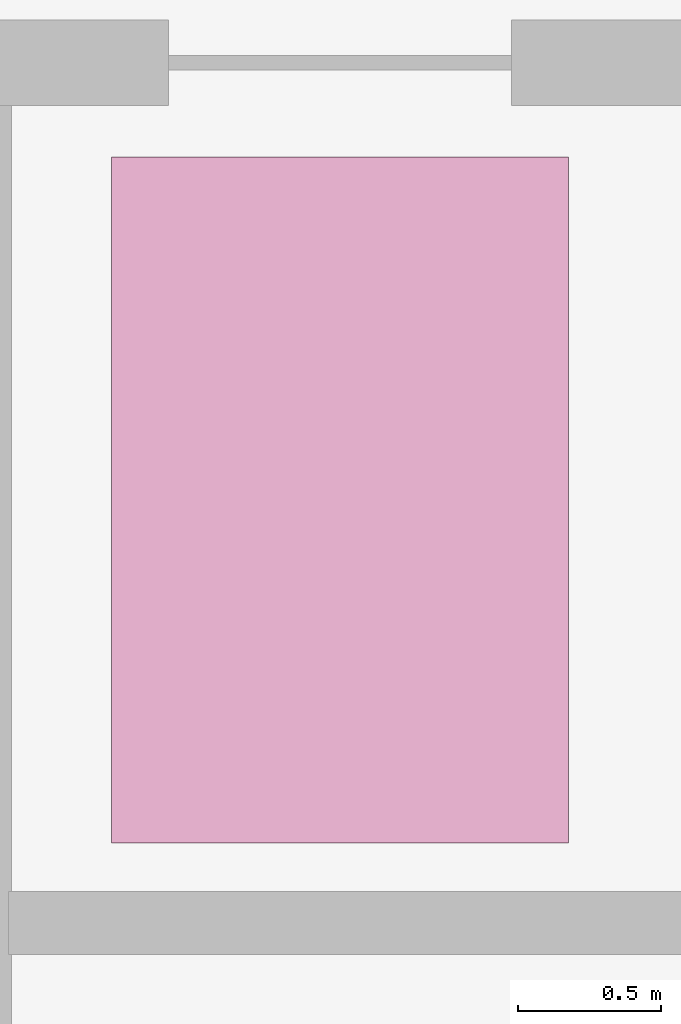
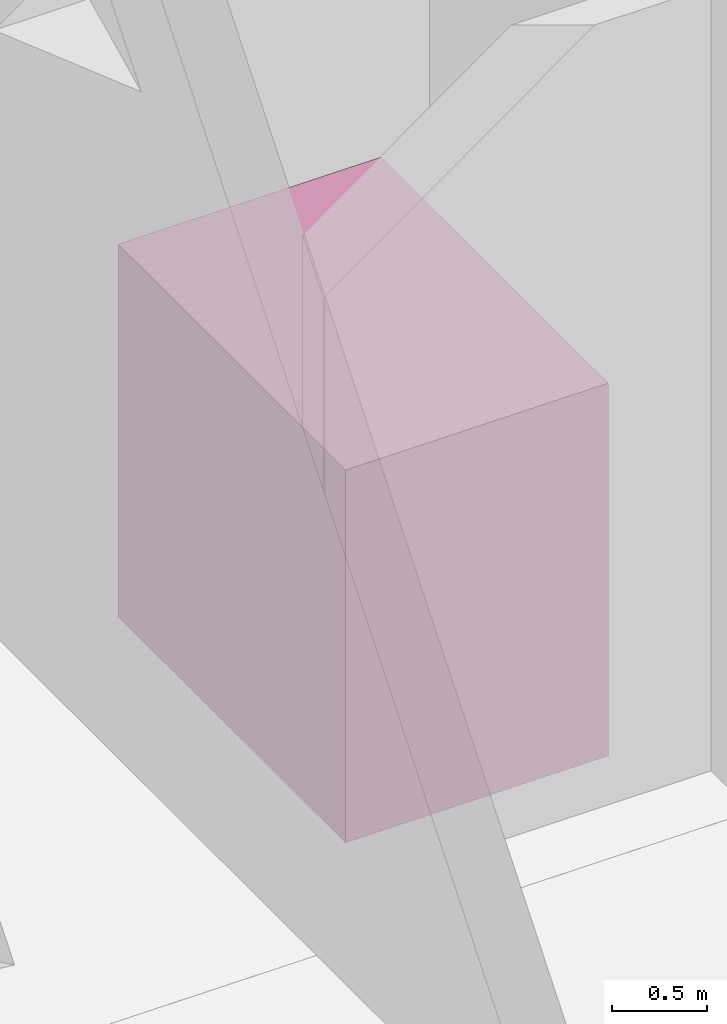
# One storey, part 75 of 75: 1 transport element.
"""IFC4 building model written with IfcOpenShell, lengths in metres."""

from ifc_helpers import new_model, si_unit, direction, frame, origin, origin_2d, place, context, subcontext, project, spatial, rectangle, extrude, material, type_object, element, save


model = new_model("IFC4")

# Units and contexts
model_context = context("Model", 3, precision=1e-05, world=origin(), true_north=direction((0.0, 1.0)))
body_context = subcontext(model_context, "Body", "Model", "MODEL_VIEW")
ifc_project = project(units=[si_unit("LENGTHUNIT", "METRE"), si_unit("AREAUNIT", "SQUARE_METRE"), si_unit("VOLUMEUNIT", "CUBIC_METRE"), si_unit("PLANEANGLEUNIT", "RADIAN"), si_unit("MASSUNIT", "GRAM", prefix="KILO")], contexts=[model_context])

# Site, building, storey
site_placement = place(None, origin())
site = spatial("IfcSite", under=ifc_project, at=site_placement, CompositionType="ELEMENT")
building_placement = place(site_placement, origin())
building = spatial("IfcBuilding", under=site, at=building_placement, Name="Leyfeld Transit Interchange", CompositionType="ELEMENT")
storey_placement = place(building_placement, origin())
storey = spatial("IfcBuildingStorey", under=building, at=storey_placement, Name="L00", CompositionType="ELEMENT", Elevation=0.0)

# Transport element
ifc_material = material(Name="Stainless steel EN 1.4404", Category="steel")
transport_element_type = type_object("IfcTransportElementType", Name="LFT-PAS-1600x2400", PredefinedType="ELEVATOR", material=ifc_material)
transport_element_placement = place(storey_placement, frame((20.0, 115.320068359375, 0.0), z_axis=(0.0, 0.0, 1.0), x_axis=(1.0, 0.0, 0.0)))
element("IfcTransportElement", 1, at=transport_element_placement, inside=storey, type_object=transport_element_type, Name="Elevator PL-2", PredefinedType="ELEVATOR", context=body_context, shape_type="SweptSolid", body=[
    extrude(rectangle(XDim=1.60009765625, YDim=2.39990234375, at=origin_2d()), origin(), (0.0, 0.0, 1.0), 2.39990234375),
])

save(model, "model.ifc")
